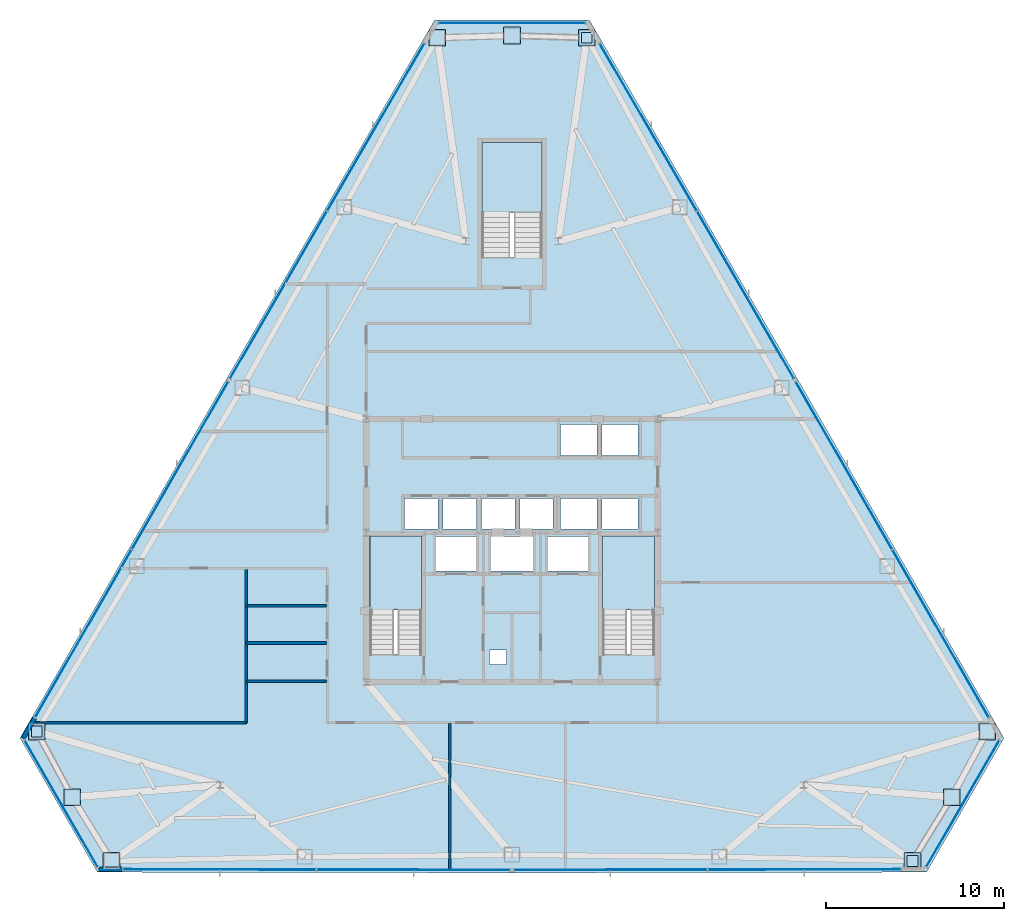
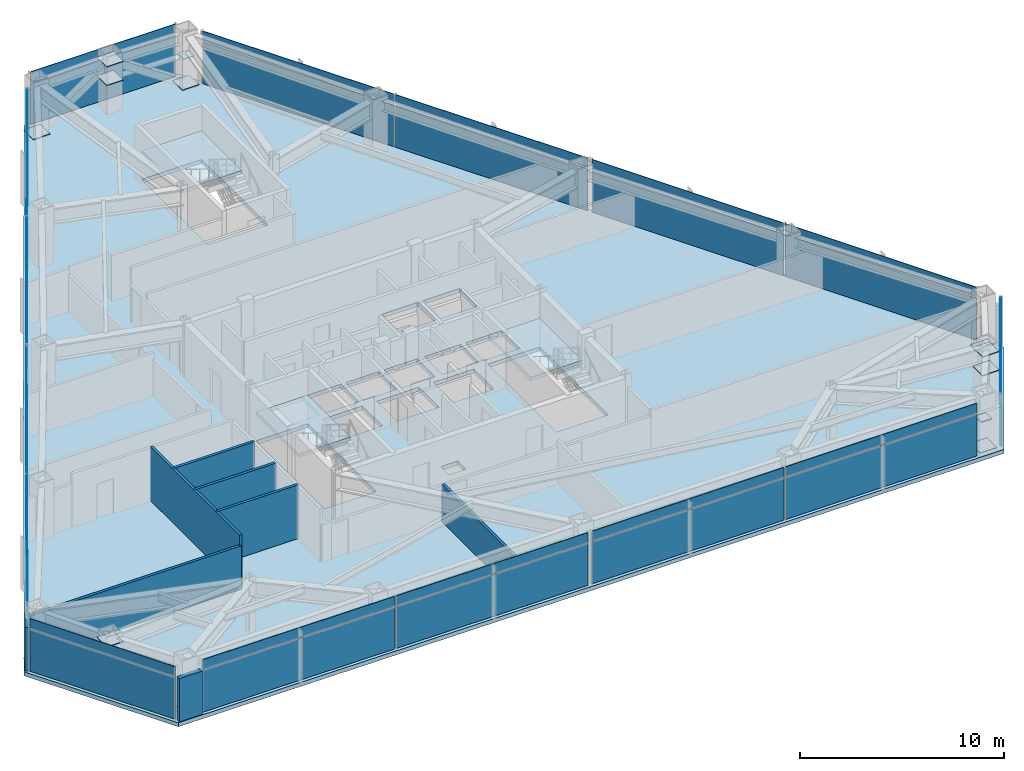
# One storey, part 9 of 13: 45 plates, 8 walls, 4 slabs, 12 elements without a shape of their own.
"""IFC4 building model written with IfcOpenShell, lengths in metres."""

from ifc_helpers import new_model, si_unit, direction, frame, frame_2d, origin, origin_2d, place, context, subcontext, project, spatial, polyline, rectangle, outline, extrude, source, transform, mapped, material, layer, layer_set, type_object, type_shapes, element, aggregate, save


model = new_model("IFC4")

# Units and contexts
model_context = context("Model", 3, precision=1e-05, world=origin(), true_north=direction((0.0, 1.0)))
body_context = subcontext(model_context, "Body", "Model", "MODEL_VIEW")
ifc_project = project(units=[si_unit("LENGTHUNIT", "METRE"), si_unit("AREAUNIT", "SQUARE_METRE"), si_unit("VOLUMEUNIT", "CUBIC_METRE"), si_unit("PLANEANGLEUNIT", "RADIAN"), si_unit("MASSUNIT", "GRAM", prefix="KILO")], contexts=[model_context])

# Site, building, storey
site_placement = place(None, origin())
site = spatial("IfcSite", under=ifc_project, at=site_placement, CompositionType="ELEMENT")
building_placement = place(site_placement, origin())
building = spatial("IfcBuilding", under=site, at=building_placement, Name="Varakhsha Concourse Tower", CompositionType="ELEMENT")
storey_placement = place(building_placement, frame((0.0, 0.0, 126.35009765625)))
storey = spatial("IfcBuildingStorey", under=building, at=storey_placement, Name="L36", CompositionType="ELEMENT", Elevation=126.35009765625)

# Slab
ifc_material_1 = material(Name="Concrete fc 45 MPa", Category="concrete")
ifc_layer_1 = layer(ifc_material_1, 0.239990234375, Name="SL-FLR-240")
ifc_layer_set_1 = layer_set([ifc_layer_1], Name="Concrete fc 45 MPa")
slab_type_1 = type_object("IfcSlabType", Name="SL-FLR-240", PredefinedType="FLOOR", material=ifc_layer_set_1)
slab_1_placement = place(storey_placement, frame((0.0, 0.0, -0.239990234375)))
element("IfcSlab", 1, at=slab_1_placement, inside=storey, type_object=slab_type_1, Name="L36 Composite Structural Slab", PredefinedType="FLOOR", context=body_context, shape_type="SweptSolid", body=[
    extrude(outline(polyline([(44.357177734375, 53.6533203125), (35.642822265625, 53.6533203125), (23.943359375, 33.47021484375), (12.314208984375, 13.246826171875), (16.67138671875, 5.699951171875), (40.0, 5.6591796875), (63.32861328125, 5.699951171875), (67.685791015625, 13.246826171875), (56.056640625, 33.47021484375), (44.357177734375, 53.6533203125)]), holes=[polyline([(34.919921875, 17.93994140625), (34.919921875, 24.6298828125), (32.0, 24.6298828125), (32.0, 17.93994140625), (34.919921875, 17.93994140625)]), polyline([(48.02001953125, 17.93994140625), (48.02001953125, 24.6298828125), (45.10009765625, 24.6298828125), (45.10009765625, 17.93994140625), (48.02001953125, 17.93994140625)]), polyline([(41.699951171875, 40.300048828125), (41.699951171875, 46.75), (38.300048828125, 46.75), (38.300048828125, 40.300048828125), (41.699951171875, 40.300048828125)]), polyline([(33.9599609375, 25.0), (35.840087890625, 25.0), (35.840087890625, 26.739990234375), (33.9599609375, 26.739990234375), (33.9599609375, 25.0)]), polyline([(36.1201171875, 25.0), (38.0, 25.0), (38.0, 26.739990234375), (36.1201171875, 26.739990234375), (36.1201171875, 25.0)]), polyline([(38.280029296875, 25.0), (40.159912109375, 25.0), (40.159912109375, 26.739990234375), (38.280029296875, 26.739990234375), (38.280029296875, 25.0)]), polyline([(40.43994140625, 25.0), (42.320068359375, 25.0), (42.320068359375, 26.739990234375), (40.43994140625, 26.739990234375), (40.43994140625, 25.0)]), polyline([(42.739990234375, 29.159912109375), (44.780029296875, 29.159912109375), (44.780029296875, 30.89990234375), (42.739990234375, 30.89990234375), (42.739990234375, 29.159912109375)]), polyline([(45.06005859375, 29.159912109375), (47.10009765625, 29.159912109375), (47.10009765625, 30.89990234375), (45.06005859375, 30.89990234375), (45.06005859375, 29.159912109375)]), polyline([(42.739990234375, 25.0), (44.780029296875, 25.0), (44.780029296875, 26.739990234375), (42.739990234375, 26.739990234375), (42.739990234375, 25.0)]), polyline([(45.06005859375, 25.0), (47.10009765625, 25.0), (47.10009765625, 26.739990234375), (45.06005859375, 26.739990234375), (45.06005859375, 25.0)]), polyline([(35.7099609375, 22.639892578125), (37.989990234375, 22.639892578125), (37.989990234375, 24.60009765625), (35.7099609375, 24.60009765625), (35.7099609375, 22.639892578125)]), polyline([(42.010009765625, 22.639892578125), (44.2900390625, 22.639892578125), (44.2900390625, 24.60009765625), (42.010009765625, 24.60009765625), (42.010009765625, 22.639892578125)]), polyline([(38.81005859375, 22.639892578125), (41.18994140625, 22.639892578125), (41.18994140625, 24.60009765625), (38.81005859375, 24.60009765625), (38.81005859375, 22.639892578125)]), polyline([(38.719970703125, 17.39990234375), (39.679931640625, 17.39990234375), (39.679931640625, 18.199951171875), (38.719970703125, 18.199951171875), (38.719970703125, 17.39990234375)])]), origin(), (0.0, 0.0, 1.0), 0.239990234375),
])

# Stair, slab
stair_type_1 = type_object("IfcStairType", Name="ST-DOGLEG-1360", PredefinedType="HALF_TURN_STAIR", material=ifc_material_1)
stair_1_placement = place(storey_placement, origin())
stair_1 = element("IfcStair", 2, at=stair_1_placement, inside=storey, type_object=stair_type_1, Name="L36 Protected Exit Stair ST1", PredefinedType="HALF_TURN_STAIR")
ifc_layer_2 = layer(ifc_material_1, 0.199951171875, Name="SL-LAND-200")
ifc_layer_set_2 = layer_set([ifc_layer_2], Name="Concrete fc 45 MPa")
slab_type_2 = type_object("IfcSlabType", Name="SL-LAND-200", PredefinedType="LANDING", material=ifc_layer_set_2)
slab_2_placement = place(storey_placement, frame((0.0, 0.0, 1.52490234375)))
slab_2 = element("IfcSlab", 3, at=slab_2_placement, type_object=slab_type_2, Name="ST1 landing 1", PredefinedType="LANDING", context=body_context, shape_type="SweptSolid", body=[
    extrude(outline(polyline([(34.919921875, 20.4599609375), (34.919921875, 24.6298828125), (32.0, 24.6298828125), (32.0, 20.4599609375), (34.919921875, 20.4599609375)])), origin(), (0.0, 0.0, 1.0), 0.199951171875),
])
aggregate(stair_1, [slab_2])

stair_2_placement = place(storey_placement, origin())
stair_2 = element("IfcStair", 4, at=stair_2_placement, inside=storey, type_object=stair_type_1, Name="L36 Protected Exit Stair ST2", PredefinedType="HALF_TURN_STAIR")
slab_3_placement = place(storey_placement, frame((0.0, 0.0, 1.52490234375)))
slab_3 = element("IfcSlab", 5, at=slab_3_placement, type_object=slab_type_2, Name="ST2 landing 1", PredefinedType="LANDING", context=body_context, shape_type="SweptSolid", body=[
    extrude(outline(polyline([(48.02001953125, 20.4599609375), (48.02001953125, 24.6298828125), (45.10009765625, 24.6298828125), (45.10009765625, 20.4599609375), (48.02001953125, 20.4599609375)])), origin(), (0.0, 0.0, 1.0), 0.199951171875),
])
aggregate(stair_2, [slab_3])

stair_type_2 = type_object("IfcStairType", Name="ST-DOGLEG-1600", PredefinedType="HALF_TURN_STAIR", material=ifc_material_1)
stair_3_placement = place(storey_placement, origin())
stair_3 = element("IfcStair", 6, at=stair_3_placement, inside=storey, type_object=stair_type_2, Name="L36 Protected Exit Stair ST5", PredefinedType="HALF_TURN_STAIR")
slab_4_placement = place(storey_placement, frame((0.0, 0.0, 1.52490234375)))
slab_4 = element("IfcSlab", 7, at=slab_4_placement, type_object=slab_type_2, Name="ST5 landing 1", PredefinedType="LANDING", context=body_context, shape_type="SweptSolid", body=[
    extrude(outline(polyline([(41.699951171875, 42.820068359375), (41.699951171875, 46.75), (38.300048828125, 46.75), (38.300048828125, 42.820068359375), (41.699951171875, 42.820068359375)])), origin(), (0.0, 0.0, 1.0), 0.199951171875),
])
aggregate(stair_3, [slab_4])

# Plates
ifc_material_2 = material(Name="Structural Steel ASTM A572 Grade 50", Category="steel")
ifc_layer_3 = layer(ifc_material_2, 0.030029296875, Name="PL-ENDCAP-950")
ifc_layer_set_3 = layer_set([ifc_layer_3], Name="Structural Steel ASTM A572 Grade 50")
plate_type_1 = type_object("IfcPlateType", Name="PL-ENDCAP-950", PredefinedType="USERDEFINED", material=ifc_layer_set_3)
shared_shape_1 = source(origin(), body_context, "Body", "SweptSolid", [
    extrude(rectangle(XDim=0.949951171875, YDim=0.949951171875, at=origin_2d()), origin(), (0.0, 0.0, 1.0), 0.030029296875),
])
type_shapes(plate_type_1, [shared_shape_1])
for number, where, z_axis, x_axis, name in (
    (8, (44.208984375, 52.652099609375, 0.10498046875), (0.0, 0.0, 1.0), (1.0, 0.0, 0.0), "Hollow Section End Cap GP-NODE-L36-0343"),
    (9, (40.0, 52.773193359375, 2.89501953125), (0.0, 0.0, 1.0), (1.0, 0.0, 0.0), "Hollow Section End Cap GP-NODE-L36-0344"),
    (10, (35.791015625, 52.652099609375, 0.10498046875), (0.0, 0.0, 1.0), (1.0, 0.0, 0.0), "Hollow Section End Cap GP-NODE-L36-0345"),
    (11, (13.255126953125, 13.619140625, 0.10498046875), (0.0, 0.0, 1.0), (1.0, 0.0, 0.0), "Hollow Section End Cap GP-NODE-L36-0346"),
    (12, (15.2548828125, 9.913330078125, 2.89501953125), (0.0, 0.0, 1.0), (1.0, 0.0, 0.0), "Hollow Section End Cap GP-NODE-L36-0347"),
    (13, (17.46435546875, 6.328857421875, 0.10498046875), (0.0, 0.0, 1.0), (1.0, 0.0, 0.0), "Hollow Section End Cap GP-NODE-L36-0348"),
    (14, (62.53564453125, 6.328857421875, 0.10498046875), (0.0, 0.0, 1.0), (1.0, 0.0, 0.0), "Hollow Section End Cap GP-NODE-L36-0349"),
    (15, (64.7451171875, 9.913330078125, 2.89501953125), (0.0, 0.0, 1.0), (1.0, 0.0, 0.0), "Hollow Section End Cap GP-NODE-L36-0350"),
    (16, (66.744873046875, 13.619140625, 0.10498046875), (0.0, 0.0, 1.0), (1.0, 0.0, 0.0), "Hollow Section End Cap GP-NODE-L36-0351"),
    (17, (40.0, 52.773193359375, 1.78466796875), (0.0, 0.0, 1.0), (1.0, 0.0, 0.0), "Hollow Section End Cap GP-NODE-L36-0352"),
    (18, (15.2548828125, 9.913330078125, 1.78466796875), (0.0, 0.0, 1.0), (1.0, 0.0, 0.0), "Hollow Section End Cap GP-NODE-L36-0353"),
    (19, (64.7451171875, 9.913330078125, 1.78466796875), (0.0, 0.0, 1.0), (1.0, 0.0, 0.0), "Hollow Section End Cap GP-NODE-L36-0354"),
):
    element("IfcPlate", number, at=place(storey_placement, frame(where, z_axis=z_axis, x_axis=x_axis)), inside=storey, type_object=plate_type_1, Name=name, ObjectType="END PLATE", PredefinedType="USERDEFINED", context=body_context, shape_type="MappedRepresentation", body=[
        mapped(shared_shape_1, transform((0.0, 0.0, 0.0), scale=1.0)),
    ])
ifc_layer_4 = layer(ifc_material_2, 0.030029296875, Name="PL-BASE-600")
ifc_layer_set_4 = layer_set([ifc_layer_4], Name="Structural Steel ASTM A572 Grade 50")
plate_type_2 = type_object("IfcPlateType", Name="PL-BASE-600", PredefinedType="SHEET", material=ifc_layer_set_4)
shared_shape_2 = source(origin(), body_context, "Body", "SweptSolid", [
    extrude(rectangle(XDim=0.60009765625, YDim=0.60009765625, at=origin_2d()), origin(), (0.0, 0.0, 1.0), 0.030029296875),
])
type_shapes(plate_type_2, [shared_shape_2])
for number, where, z_axis, x_axis, name in (
    (20, (44.208984375, 52.652099609375, 1.78466796875), (0.0, 0.0, 1.0), (1.0, 0.0, 0.0), "Hollow Section End Cap BP-WTIE-L36-1"),
    (21, (13.255126953125, 13.619140625, 1.78466796875), (0.0, 0.0, 1.0), (1.0, 0.0, 0.0), "Hollow Section End Cap BP-WTIE-L36-2"),
    (22, (62.53564453125, 6.328857421875, 1.78466796875), (0.0, 0.0, 1.0), (1.0, 0.0, 0.0), "Hollow Section End Cap BP-WTIE-L36-3"),
):
    element("IfcPlate", number, at=place(storey_placement, frame(where, z_axis=z_axis, x_axis=x_axis)), inside=storey, type_object=plate_type_2, Name=name, PredefinedType="SHEET", context=body_context, shape_type="MappedRepresentation", body=[
        mapped(shared_shape_2, transform((0.0, 0.0, 0.0), scale=1.0)),
    ])

# Curtain wall, plate
ifc_material_3 = material(Name="Anodised Bronze Architectural Aluminium AA 6063-T6", Category="aluminium")
ifc_layer_5 = layer(ifc_material_3, 0.2099609375, Name="CW-SYS-04")
ifc_layer_set_5 = layer_set([ifc_layer_5], Name="Anodised Bronze Architectural Aluminium AA 6063-T6")
curtain_wall_type = type_object("IfcCurtainWallType", Name="CW-SYS-04", PredefinedType="NOTDEFINED", material=ifc_layer_set_5)
curtain_wall_1_placement = place(storey_placement, origin())
curtain_wall_1 = element("IfcCurtainWall", 23, at=curtain_wall_1_placement, inside=storey, type_object=curtain_wall_type, Name="L36 Crystal Curtain Wall F2", PredefinedType="NOTDEFINED")
ifc_material_4 = material(Name="Low-E Triple Insulating Glass IGU 44 mm", Category="glass")
ifc_layer_6 = layer(ifc_material_4, 0.0439453125, Name="CWP-IGU-44")
ifc_layer_set_6 = layer_set([ifc_layer_6], Name="Low-E Triple Insulating Glass IGU 44 mm")
plate_type_3 = type_object("IfcPlateType", Name="CWP-IGU-44", PredefinedType="CURTAIN_PANEL", material=ifc_layer_set_6)
shared_shape_3 = source(origin(), body_context, "Body", "SweptSolid", [
    extrude(rectangle(XDim=10.83544921875, YDim=0.0439453125, at=origin_2d()), origin(), (0.0, 0.0, 1.0), 2.490966796875),
])
plate_1_placement = place(storey_placement, frame((26.858642578125, 38.1806640625, 0.0341796875), z_axis=(0.0, 0.0, 1.0), x_axis=(0.501513757105, 0.865149669962, 0.0)))
plate_1 = element("IfcPlate", 24, at=plate_1_placement, type_object=plate_type_3, Name="CW-L36-F2 Panel 00-00", PredefinedType="CURTAIN_PANEL", context=body_context, shape_type="MappedRepresentation", body=[
    mapped(shared_shape_3, transform((0.0, 0.0, 0.0), scale=1.0)),
])

curtain_wall_2_placement = place(storey_placement, origin())
curtain_wall_2 = element("IfcCurtainWall", 25, at=curtain_wall_2_placement, inside=storey, type_object=curtain_wall_type, Name="L36 Crystal Curtain Wall F9", PredefinedType="NOTDEFINED")
plate_2_placement = place(storey_placement, frame((47.667724609375, 47.623046875, 0.0341796875), z_axis=(0.0, 0.0, 1.0), x_axis=(0.501513757105, -0.865149669962, 0.0)))
plate_2 = element("IfcPlate", 26, at=plate_2_placement, type_object=plate_type_3, Name="CW-L36-F9 Panel 00-00", PredefinedType="CURTAIN_PANEL", context=body_context, shape_type="MappedRepresentation", body=[
    mapped(shared_shape_3, transform((0.0, 0.0, 0.0), scale=1.0)),
])

# Plate
ifc_material_5 = material(Name="Glazed Turquoise-Bronze Ceramic Spandrel Panel 38 mm", Category="ceramic")
ifc_layer_7 = layer(ifc_material_5, 0.0380859375, Name="CWP-SPN-38")
ifc_layer_set_7 = layer_set([ifc_layer_7], Name="Glazed Turquoise-Bronze Ceramic Spandrel Panel 38 mm")
plate_type_4 = type_object("IfcPlateType", Name="CWP-SPN-38", PredefinedType="USERDEFINED", material=ifc_layer_set_7)
shared_shape_4 = source(origin(), body_context, "Body", "SweptSolid", [
    extrude(rectangle(XDim=10.83544921875, YDim=0.0380859375, at=origin_2d()), origin(), (0.0, 0.0, 1.0), 0.5810546875),
])
plate_3_placement = place(storey_placement, frame((26.858642578125, 38.1806640625, 2.594482421875), z_axis=(0.0, 0.0, 1.0), x_axis=(0.501513757105, 0.865149669962, 0.0)))
plate_3 = element("IfcPlate", 27, at=plate_3_placement, type_object=plate_type_4, Name="CW-L36-F2 Panel 00-01", ObjectType="SPANDREL", PredefinedType="USERDEFINED", context=body_context, shape_type="MappedRepresentation", body=[
    mapped(shared_shape_4, transform((0.0, 0.0, 0.0), scale=1.0)),
])

plate_4_placement = place(storey_placement, frame((47.667724609375, 47.623046875, 2.594482421875), z_axis=(0.0, 0.0, 1.0), x_axis=(0.501513757105, -0.865149669962, 0.0)))
plate_4 = element("IfcPlate", 28, at=plate_4_placement, type_object=plate_type_4, Name="CW-L36-F9 Panel 00-01", ObjectType="SPANDREL", PredefinedType="USERDEFINED", context=body_context, shape_type="MappedRepresentation", body=[
    mapped(shared_shape_4, transform((0.0, 0.0, 0.0), scale=1.0)),
])

shared_shape_5 = source(origin(), body_context, "Body", "SweptSolid", [
    extrude(rectangle(XDim=10.835205078125, YDim=0.0439453125, at=origin_2d()), origin(), (0.0, 0.0, 1.0), 2.490966796875),
])
type_shapes(plate_type_3, [shared_shape_3, shared_shape_5])
plate_5_placement = place(storey_placement, frame((32.33251953125, 47.623046875, 0.0341796875), z_axis=(0.0, 0.0, 1.0), x_axis=(0.501513757105, 0.865149669962, 0.0)))
plate_5 = element("IfcPlate", 29, at=plate_5_placement, type_object=plate_type_3, Name="CW-L36-F2 Panel 01-00", PredefinedType="CURTAIN_PANEL", context=body_context, shape_type="MappedRepresentation", body=[
    mapped(shared_shape_5, transform((0.0, 0.0, 0.0), scale=1.0)),
])

# Curtain wall, plates
curtain_wall_3_placement = place(storey_placement, origin())
curtain_wall_3 = element("IfcCurtainWall", 30, at=curtain_wall_3_placement, inside=storey, type_object=curtain_wall_type, Name="L36 Crystal Curtain Wall F3", PredefinedType="NOTDEFINED")
plate_6_placement = place(storey_placement, frame((15.881103515625, 19.12890625, 0.0341796875), z_axis=(0.0, 0.0, 1.0), x_axis=(0.498489252773, 0.866895878909, 0.0)))
plate_6 = element("IfcPlate", 31, at=plate_6_placement, type_object=plate_type_3, Name="CW-L36-F3 Panel 00-00", PredefinedType="CURTAIN_PANEL", context=body_context, shape_type="MappedRepresentation", body=[
    mapped(shared_shape_5, transform((0.0, 0.0, 0.0), scale=1.0)),
])
plate_7_placement = place(storey_placement, frame((21.32177734375, 28.59033203125, 0.0341796875), z_axis=(0.0, 0.0, 1.0), x_axis=(0.498489252773, 0.866895878909, 0.0)))
plate_7 = element("IfcPlate", 32, at=plate_7_placement, type_object=plate_type_3, Name="CW-L36-F3 Panel 01-00", PredefinedType="CURTAIN_PANEL", context=body_context, shape_type="MappedRepresentation", body=[
    mapped(shared_shape_5, transform((0.0, 0.0, 0.0), scale=1.0)),
])

curtain_wall_4_placement = place(storey_placement, origin())
curtain_wall_4 = element("IfcCurtainWall", 33, at=curtain_wall_4_placement, inside=storey, type_object=curtain_wall_type, Name="L36 Crystal Curtain Wall F5", PredefinedType="NOTDEFINED")
plate_8_placement = place(storey_placement, frame((34.463134765625, 5.828857421875, 0.0341796875), z_axis=(0.0, 0.0, 1.0), x_axis=(-0.999998476913, 0.001745328366, 0.0)))
plate_8 = element("IfcPlate", 34, at=plate_8_placement, type_object=plate_type_3, Name="CW-L36-F5 Panel 00-00", PredefinedType="CURTAIN_PANEL", context=body_context, shape_type="MappedRepresentation", body=[
    mapped(shared_shape_5, transform((0.0, 0.0, 0.0), scale=1.0)),
])
plate_9_placement = place(storey_placement, frame((23.548828125, 5.847900390625, 0.0341796875), z_axis=(0.0, 0.0, 1.0), x_axis=(-0.999998476913, 0.001745328366, 0.0)))
plate_9 = element("IfcPlate", 35, at=plate_9_placement, type_object=plate_type_3, Name="CW-L36-F5 Panel 01-00", PredefinedType="CURTAIN_PANEL", context=body_context, shape_type="MappedRepresentation", body=[
    mapped(shared_shape_5, transform((0.0, 0.0, 0.0), scale=1.0)),
])

curtain_wall_5_placement = place(storey_placement, origin())
curtain_wall_5 = element("IfcCurtainWall", 36, at=curtain_wall_5_placement, inside=storey, type_object=curtain_wall_type, Name="L36 Crystal Curtain Wall F6", PredefinedType="NOTDEFINED")
plate_10_placement = place(storey_placement, frame((56.451171875, 5.847900390625, 0.0341796875), z_axis=(0.0, 0.0, 1.0), x_axis=(-0.999998476913, -0.001745328366, 0.0)))
plate_10 = element("IfcPlate", 37, at=plate_10_placement, type_object=plate_type_3, Name="CW-L36-F6 Panel 00-00", PredefinedType="CURTAIN_PANEL", context=body_context, shape_type="MappedRepresentation", body=[
    mapped(shared_shape_5, transform((0.0, 0.0, 0.0), scale=1.0)),
])
plate_11_placement = place(storey_placement, frame((45.536865234375, 5.828857421875, 0.0341796875), z_axis=(0.0, 0.0, 1.0), x_axis=(-0.999998476913, -0.001745328366, 0.0)))
plate_11 = element("IfcPlate", 38, at=plate_11_placement, type_object=plate_type_3, Name="CW-L36-F6 Panel 01-00", PredefinedType="CURTAIN_PANEL", context=body_context, shape_type="MappedRepresentation", body=[
    mapped(shared_shape_5, transform((0.0, 0.0, 0.0), scale=1.0)),
])

curtain_wall_6_placement = place(storey_placement, origin())
curtain_wall_6 = element("IfcCurtainWall", 39, at=curtain_wall_6_placement, inside=storey, type_object=curtain_wall_type, Name="L36 Crystal Curtain Wall F8", PredefinedType="NOTDEFINED")
plate_12_placement = place(storey_placement, frame((58.67822265625, 28.59033203125, 0.0341796875), z_axis=(0.0, 0.0, 1.0), x_axis=(0.498489252773, -0.866895878909, 0.0)))
plate_12 = element("IfcPlate", 40, at=plate_12_placement, type_object=plate_type_3, Name="CW-L36-F8 Panel 00-00", PredefinedType="CURTAIN_PANEL", context=body_context, shape_type="MappedRepresentation", body=[
    mapped(shared_shape_5, transform((0.0, 0.0, 0.0), scale=1.0)),
])
plate_13_placement = place(storey_placement, frame((64.118896484375, 19.12890625, 0.0341796875), z_axis=(0.0, 0.0, 1.0), x_axis=(0.498489252773, -0.866895878909, 0.0)))
plate_13 = element("IfcPlate", 41, at=plate_13_placement, type_object=plate_type_3, Name="CW-L36-F8 Panel 01-00", PredefinedType="CURTAIN_PANEL", context=body_context, shape_type="MappedRepresentation", body=[
    mapped(shared_shape_5, transform((0.0, 0.0, 0.0), scale=1.0)),
])

# Plate
plate_14_placement = place(storey_placement, frame((53.141357421875, 38.1806640625, 0.0341796875), z_axis=(0.0, 0.0, 1.0), x_axis=(0.501513757105, -0.865149669962, 0.0)))
plate_14 = element("IfcPlate", 42, at=plate_14_placement, type_object=plate_type_3, Name="CW-L36-F9 Panel 01-00", PredefinedType="CURTAIN_PANEL", context=body_context, shape_type="MappedRepresentation", body=[
    mapped(shared_shape_5, transform((0.0, 0.0, 0.0), scale=1.0)),
])

shared_shape_6 = source(origin(), body_context, "Body", "SweptSolid", [
    extrude(rectangle(XDim=10.835205078125, YDim=0.0380859375, at=origin_2d()), origin(), (0.0, 0.0, 1.0), 0.5810546875),
])
plate_15_placement = place(storey_placement, frame((32.33251953125, 47.623046875, 2.594482421875), z_axis=(0.0, 0.0, 1.0), x_axis=(0.501513757105, 0.865149669962, 0.0)))
plate_15 = element("IfcPlate", 43, at=plate_15_placement, type_object=plate_type_4, Name="CW-L36-F2 Panel 01-01", ObjectType="SPANDREL", PredefinedType="USERDEFINED", context=body_context, shape_type="MappedRepresentation", body=[
    mapped(shared_shape_6, transform((0.0, 0.0, 0.0), scale=1.0)),
])

aggregate(curtain_wall_1, [plate_1, plate_3, plate_5, plate_15])

plate_16_placement = place(storey_placement, frame((15.881103515625, 19.12890625, 2.594482421875), z_axis=(0.0, 0.0, 1.0), x_axis=(0.498489252773, 0.866895878909, 0.0)))
plate_16 = element("IfcPlate", 44, at=plate_16_placement, type_object=plate_type_4, Name="CW-L36-F3 Panel 00-01", ObjectType="SPANDREL", PredefinedType="USERDEFINED", context=body_context, shape_type="MappedRepresentation", body=[
    mapped(shared_shape_6, transform((0.0, 0.0, 0.0), scale=1.0)),
])

plate_17_placement = place(storey_placement, frame((21.32177734375, 28.59033203125, 2.594482421875), z_axis=(0.0, 0.0, 1.0), x_axis=(0.498489252773, 0.866895878909, 0.0)))
plate_17 = element("IfcPlate", 45, at=plate_17_placement, type_object=plate_type_4, Name="CW-L36-F3 Panel 01-01", ObjectType="SPANDREL", PredefinedType="USERDEFINED", context=body_context, shape_type="MappedRepresentation", body=[
    mapped(shared_shape_6, transform((0.0, 0.0, 0.0), scale=1.0)),
])

aggregate(curtain_wall_3, [plate_6, plate_16, plate_7, plate_17])

plate_18_placement = place(storey_placement, frame((34.463134765625, 5.828857421875, 2.594482421875), z_axis=(0.0, 0.0, 1.0), x_axis=(-0.999998476913, 0.001745328366, 0.0)))
plate_18 = element("IfcPlate", 46, at=plate_18_placement, type_object=plate_type_4, Name="CW-L36-F5 Panel 00-01", ObjectType="SPANDREL", PredefinedType="USERDEFINED", context=body_context, shape_type="MappedRepresentation", body=[
    mapped(shared_shape_6, transform((0.0, 0.0, 0.0), scale=1.0)),
])

plate_19_placement = place(storey_placement, frame((23.548828125, 5.847900390625, 2.594482421875), z_axis=(0.0, 0.0, 1.0), x_axis=(-0.999998476913, 0.001745328366, 0.0)))
plate_19 = element("IfcPlate", 47, at=plate_19_placement, type_object=plate_type_4, Name="CW-L36-F5 Panel 01-01", ObjectType="SPANDREL", PredefinedType="USERDEFINED", context=body_context, shape_type="MappedRepresentation", body=[
    mapped(shared_shape_6, transform((0.0, 0.0, 0.0), scale=1.0)),
])

aggregate(curtain_wall_4, [plate_8, plate_18, plate_9, plate_19])

plate_20_placement = place(storey_placement, frame((56.451171875, 5.847900390625, 2.594482421875), z_axis=(0.0, 0.0, 1.0), x_axis=(-0.999998476913, -0.001745328366, 0.0)))
plate_20 = element("IfcPlate", 48, at=plate_20_placement, type_object=plate_type_4, Name="CW-L36-F6 Panel 00-01", ObjectType="SPANDREL", PredefinedType="USERDEFINED", context=body_context, shape_type="MappedRepresentation", body=[
    mapped(shared_shape_6, transform((0.0, 0.0, 0.0), scale=1.0)),
])

plate_21_placement = place(storey_placement, frame((45.536865234375, 5.828857421875, 2.594482421875), z_axis=(0.0, 0.0, 1.0), x_axis=(-0.999998476913, -0.001745328366, 0.0)))
plate_21 = element("IfcPlate", 49, at=plate_21_placement, type_object=plate_type_4, Name="CW-L36-F6 Panel 01-01", ObjectType="SPANDREL", PredefinedType="USERDEFINED", context=body_context, shape_type="MappedRepresentation", body=[
    mapped(shared_shape_6, transform((0.0, 0.0, 0.0), scale=1.0)),
])

aggregate(curtain_wall_5, [plate_10, plate_20, plate_11, plate_21])

plate_22_placement = place(storey_placement, frame((58.67822265625, 28.59033203125, 2.594482421875), z_axis=(0.0, 0.0, 1.0), x_axis=(0.498489252773, -0.866895878909, 0.0)))
plate_22 = element("IfcPlate", 50, at=plate_22_placement, type_object=plate_type_4, Name="CW-L36-F8 Panel 00-01", ObjectType="SPANDREL", PredefinedType="USERDEFINED", context=body_context, shape_type="MappedRepresentation", body=[
    mapped(shared_shape_6, transform((0.0, 0.0, 0.0), scale=1.0)),
])

plate_23_placement = place(storey_placement, frame((64.118896484375, 19.12890625, 2.594482421875), z_axis=(0.0, 0.0, 1.0), x_axis=(0.498489252773, -0.866895878909, 0.0)))
plate_23 = element("IfcPlate", 51, at=plate_23_placement, type_object=plate_type_4, Name="CW-L36-F8 Panel 01-01", ObjectType="SPANDREL", PredefinedType="USERDEFINED", context=body_context, shape_type="MappedRepresentation", body=[
    mapped(shared_shape_6, transform((0.0, 0.0, 0.0), scale=1.0)),
])

aggregate(curtain_wall_6, [plate_12, plate_22, plate_13, plate_23])

plate_24_placement = place(storey_placement, frame((53.141357421875, 38.1806640625, 2.594482421875), z_axis=(0.0, 0.0, 1.0), x_axis=(0.501513757105, -0.865149669962, 0.0)))
plate_24 = element("IfcPlate", 52, at=plate_24_placement, type_object=plate_type_4, Name="CW-L36-F9 Panel 01-01", ObjectType="SPANDREL", PredefinedType="USERDEFINED", context=body_context, shape_type="MappedRepresentation", body=[
    mapped(shared_shape_6, transform((0.0, 0.0, 0.0), scale=1.0)),
])

aggregate(curtain_wall_2, [plate_2, plate_4, plate_14, plate_24])

# Curtain wall, plate
curtain_wall_7_placement = place(storey_placement, origin())
curtain_wall_7 = element("IfcCurtainWall", 53, at=curtain_wall_7_placement, inside=storey, type_object=curtain_wall_type, Name="L36 Chamfer Curtain Wall F1", PredefinedType="NOTDEFINED")
ifc_material_6 = material(Name="Insulated Anodised Bronze Aluminium Spandrel 36 mm", Category="aluminium")
ifc_layer_8 = layer(ifc_material_6, 0.035888671875, Name="CWP-SPN-36")
ifc_layer_set_8 = layer_set([ifc_layer_8], Name="Insulated Anodised Bronze Aluminium Spandrel 36 mm")
plate_type_5 = type_object("IfcPlateType", Name="CWP-SPN-36", PredefinedType="USERDEFINED", material=ifc_layer_set_8)
shared_shape_7 = source(origin(), body_context, "Body", "SweptSolid", [
    extrude(rectangle(XDim=8.1953125, YDim=0.035888671875, at=origin_2d()), origin(), (0.0, 0.0, 1.0), 2.490966796875),
])
type_shapes(plate_type_5, [shared_shape_7])
plate_25_placement = place(storey_placement, frame((40.0, 53.4931640625, 0.0341796875), z_axis=(0.0, 0.0, 1.0), x_axis=(1.0, 0.0, 0.0)))
plate_25 = element("IfcPlate", 54, at=plate_25_placement, type_object=plate_type_5, Name="CW-L36-F1 Panel 00-00", ObjectType="SPANDREL", PredefinedType="USERDEFINED", context=body_context, shape_type="MappedRepresentation", body=[
    mapped(shared_shape_7, transform((0.0, 0.0, 0.0), scale=1.0)),
])

curtain_wall_8_placement = place(storey_placement, origin())
curtain_wall_8 = element("IfcCurtainWall", 55, at=curtain_wall_8_placement, inside=storey, type_object=curtain_wall_type, Name="L36 Chamfer Curtain Wall F4", PredefinedType="NOTDEFINED")
plate_26_placement = place(storey_placement, frame((14.63134765625, 9.553466796875, 0.0341796875), z_axis=(0.0, 0.0, 1.0), x_axis=(-0.500001511499, 0.866024531118, 0.0)))
plate_26 = element("IfcPlate", 56, at=plate_26_placement, type_object=plate_type_5, Name="CW-L36-F4 Panel 00-00", ObjectType="SPANDREL", PredefinedType="USERDEFINED", context=body_context, shape_type="MappedRepresentation", body=[
    mapped(shared_shape_7, transform((0.0, 0.0, 0.0), scale=1.0)),
])

curtain_wall_9_placement = place(storey_placement, origin())
curtain_wall_9 = element("IfcCurtainWall", 57, at=curtain_wall_9_placement, inside=storey, type_object=curtain_wall_type, Name="L36 Chamfer Curtain Wall F7", PredefinedType="NOTDEFINED")
plate_27_placement = place(storey_placement, frame((65.36865234375, 9.553466796875, 0.0341796875), z_axis=(0.0, 0.0, 1.0), x_axis=(-0.500001511499, -0.866024531118, 0.0)))
plate_27 = element("IfcPlate", 58, at=plate_27_placement, type_object=plate_type_5, Name="CW-L36-F7 Panel 00-00", ObjectType="SPANDREL", PredefinedType="USERDEFINED", context=body_context, shape_type="MappedRepresentation", body=[
    mapped(shared_shape_7, transform((0.0, 0.0, 0.0), scale=1.0)),
])

# Plate
shared_shape_8 = source(origin(), body_context, "Body", "SweptSolid", [
    extrude(rectangle(XDim=8.1953125, YDim=0.0380859375, at=origin_2d()), origin(), (0.0, 0.0, 1.0), 0.5810546875),
])
type_shapes(plate_type_4, [shared_shape_4, shared_shape_6, shared_shape_8])
plate_28_placement = place(storey_placement, frame((40.0, 53.4931640625, 2.594482421875), z_axis=(0.0, 0.0, 1.0), x_axis=(1.0, 0.0, 0.0)))
plate_28 = element("IfcPlate", 59, at=plate_28_placement, type_object=plate_type_4, Name="CW-L36-F1 Panel 00-01", ObjectType="SPANDREL", PredefinedType="USERDEFINED", context=body_context, shape_type="MappedRepresentation", body=[
    mapped(shared_shape_8, transform((0.0, 0.0, 0.0), scale=1.0)),
])

aggregate(curtain_wall_7, [plate_25, plate_28])

plate_29_placement = place(storey_placement, frame((14.63134765625, 9.553466796875, 2.594482421875), z_axis=(0.0, 0.0, 1.0), x_axis=(-0.500001511499, 0.866024531118, 0.0)))
plate_29 = element("IfcPlate", 60, at=plate_29_placement, type_object=plate_type_4, Name="CW-L36-F4 Panel 00-01", ObjectType="SPANDREL", PredefinedType="USERDEFINED", context=body_context, shape_type="MappedRepresentation", body=[
    mapped(shared_shape_8, transform((0.0, 0.0, 0.0), scale=1.0)),
])

aggregate(curtain_wall_8, [plate_26, plate_29])

plate_30_placement = place(storey_placement, frame((65.36865234375, 9.553466796875, 2.594482421875), z_axis=(0.0, 0.0, 1.0), x_axis=(-0.500001511499, -0.866024531118, 0.0)))
plate_30 = element("IfcPlate", 61, at=plate_30_placement, type_object=plate_type_4, Name="CW-L36-F7 Panel 00-01", ObjectType="SPANDREL", PredefinedType="USERDEFINED", context=body_context, shape_type="MappedRepresentation", body=[
    mapped(shared_shape_8, transform((0.0, 0.0, 0.0), scale=1.0)),
])

aggregate(curtain_wall_9, [plate_27, plate_30])

# Walls
ifc_layer_9 = layer(ifc_material_1, 0.239990234375, Name="WL-EXT-CRN-240")
ifc_layer_set_9 = layer_set([ifc_layer_9], Name="Concrete fc 45 MPa")
wall_type_1 = type_object("IfcWallType", Name="WL-EXT-CRN-240", PredefinedType="SHEAR", material=ifc_layer_set_9)
wall_1_placement = place(storey_placement, frame((13.14208984375, 14.365478515625, 0.0), z_axis=(0.0, 0.0, 1.0), x_axis=(-0.498460550087, -0.86691238312, 0.0)))
element("IfcWall", 62, at=wall_1_placement, inside=storey, type_object=wall_type_1, Name="L36 Wind-Corner Shoulder Wall F3", PredefinedType="SHEAR", context=body_context, shape_type="SweptSolid", body=[
    extrude(rectangle(XDim=1.30126953125, YDim=0.239990234375, at=frame_2d((0.650634765625, 0.0))), origin(), (0.0, 0.0, 1.0), 2.5830078125),
])
wall_2_placement = place(storey_placement, frame((16.752685546875, 5.85986328125, 0.0), z_axis=(0.0, 0.0, 1.0), x_axis=(0.999998574928, -0.001688236199, 0.0)))
element("IfcWall", 63, at=wall_2_placement, inside=storey, type_object=wall_type_1, Name="L36 Wind-Corner Shoulder Wall F5", PredefinedType="SHEAR", context=body_context, shape_type="SweptSolid", body=[
    extrude(rectangle(XDim=1.301513671875, YDim=0.239990234375, at=frame_2d((0.65087890625, 0.0))), origin(), (0.0, 0.0, 1.0), 2.5830078125),
])
ifc_material_7 = material(Name="Fire-Rated Type X Gypsum Partition Assembly", Category="gypsum")
ifc_layer_10 = layer(ifc_material_7, 0.14990234375, Name="WL-PART-150")
ifc_layer_set_10 = layer_set([ifc_layer_10], Name="Fire-Rated Type X Gypsum Partition Assembly")
wall_type_2 = type_object("IfcWallType", Name="WL-PART-150", PredefinedType="PARTITIONING", material=ifc_layer_set_10)
wall_3_placement = place(storey_placement, frame((25.050048828125, 14.10009765625, 0.0), z_axis=(0.0, 0.0, 1.0), x_axis=(0.0, 1.0, 0.0)))
element("IfcWall", 64, at=wall_3_placement, inside=storey, type_object=wall_type_2, Name="L36 Wall C2WC-W-L36", PredefinedType="PARTITIONING", context=body_context, shape_type="SweptSolid", body=[
    extrude(rectangle(XDim=8.699951171875, YDim=0.14990234375, at=frame_2d((4.35009765625, 0.0))), origin(), (0.0, 0.0, 1.0), 3.2099609375),
])
for number, where, z_axis, x_axis, name in (
    (65, (25.050048828125, 16.449951171875, 0.0), (0.0, 0.0, 1.0), (1.0, 0.0, 0.0), "L36 Wall C2WC-S-L36"),
    (66, (25.050048828125, 18.60009765625, 0.0), (0.0, 0.0, 1.0), (1.0, 0.0, 0.0), "L36 Wall C2WC-D1-L36"),
    (67, (25.050048828125, 20.699951171875, 0.0), (0.0, 0.0, 1.0), (1.0, 0.0, 0.0), "L36 Wall C2WC-D2-L36"),
):
    element("IfcWall", number, at=place(storey_placement, frame(where, z_axis=z_axis, x_axis=x_axis)), inside=storey, type_object=wall_type_2, Name=name, PredefinedType="PARTITIONING", context=body_context, shape_type="SweptSolid", body=[
        extrude(rectangle(XDim=4.550048828125, YDim=0.14990234375, at=frame_2d((2.27490234375, 0.0))), origin(), (0.0, 0.0, 1.0), 3.2099609375),
    ])
wall_4_placement = place(storey_placement, frame((36.5, 5.830322265625, 0.0), z_axis=(0.0, 0.0, 1.0), x_axis=(0.0, 1.0, 0.0)))
element("IfcWall", 68, at=wall_4_placement, inside=storey, type_object=wall_type_2, Name="L36 Wall ODIV-S1-L36", PredefinedType="PARTITIONING", context=body_context, shape_type="SweptSolid", body=[
    extrude(rectangle(XDim=8.269775390625, YDim=0.14990234375, at=frame_2d((4.134765625, 0.0))), origin(), (0.0, 0.0, 1.0), 2.224853515625),
])
wall_5_placement = place(storey_placement, frame((12.9951171875, 14.10009765625, 0.0), z_axis=(0.0, 0.0, 1.0), x_axis=(1.0, 0.0, 0.0)))
element("IfcWall", 69, at=wall_5_placement, inside=storey, type_object=wall_type_2, Name="L36 Wall ODIV-SWB-L36", PredefinedType="PARTITIONING", context=body_context, shape_type="SweptSolid", body=[
    extrude(rectangle(XDim=12.054931640625, YDim=0.14990234375, at=frame_2d((6.02734375, 0.0))), origin(), (0.0, 0.0, 1.0), 2.5888671875),
])

save(model, "model.ifc")
